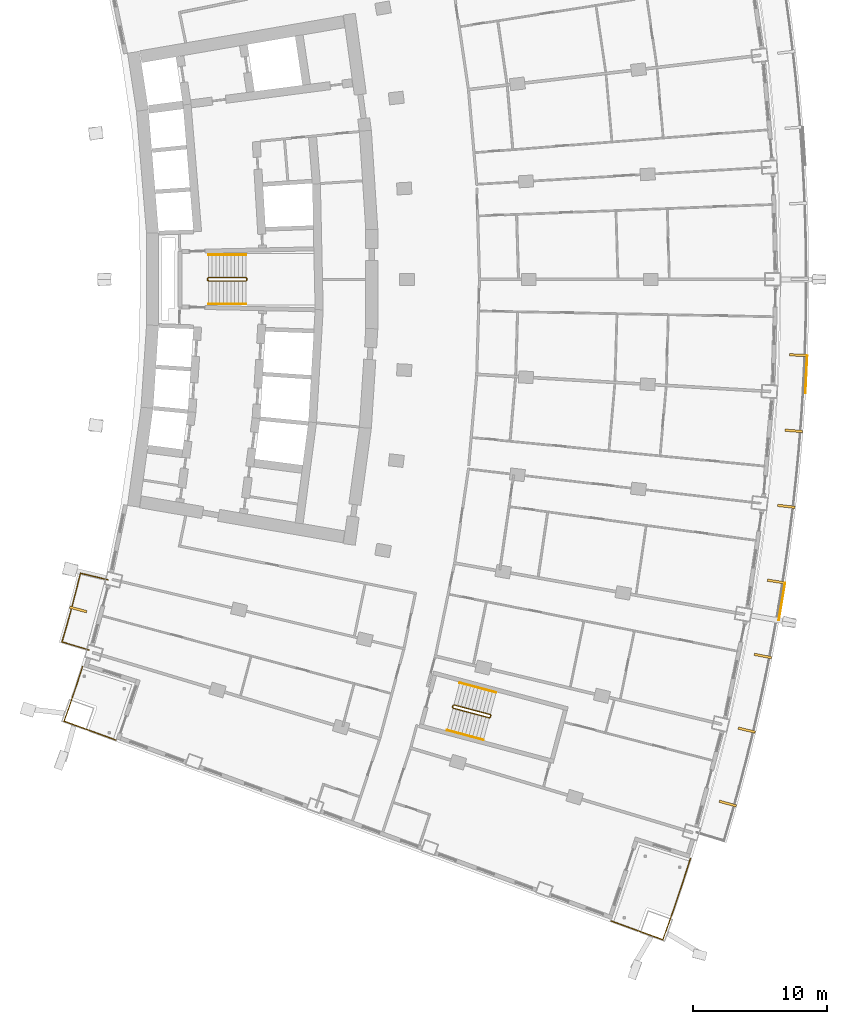
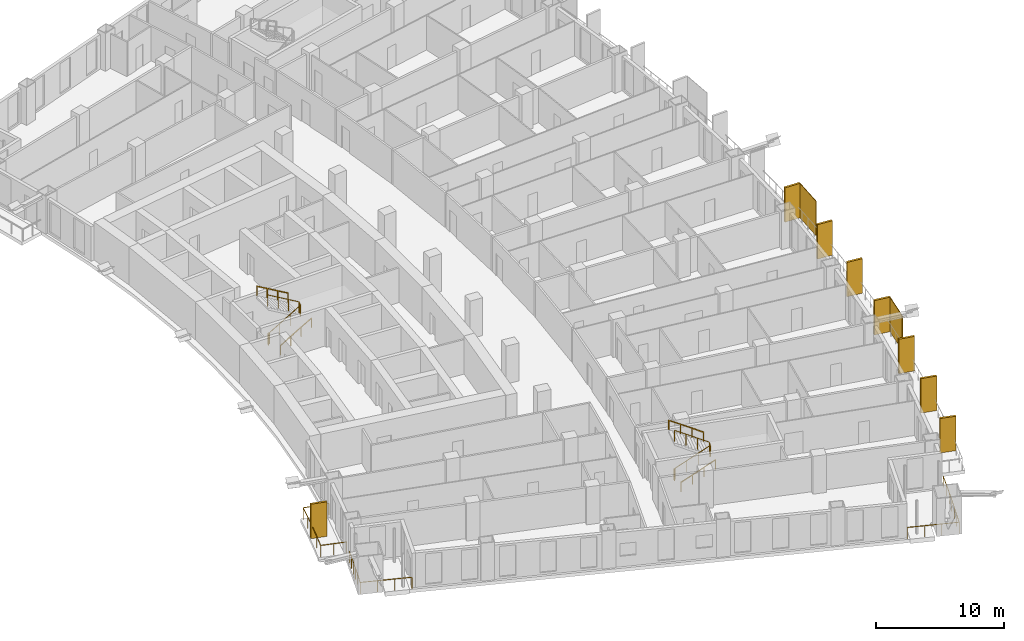
# One storey, part 20 of 22: 10 shading devices, 9 railings.
"""IFC4 building model written with IfcOpenShell, lengths in metres."""

import ifcopenshell
import ifcopenshell.guid

model = None  # the IFC model being written
_history = None  # IfcOwnerHistory: only IFC2X3 demands one
_inside = {}  # id of a spatial element -> (the spatial element, [elements in it])
_under = {}  # id of a project, library or spatial element -> (it, [spatial elements below it])
_declared = {}  # id of a project -> (the project, [libraries it declares])
_typed = {}  # id of a type object -> (the type object, [elements of that type])
_made_of = {}  # id of a material, layer set ... -> (it, [elements and type objects made of it])


def new_model(schema):
    """Start an empty IFC model of exactly this schema.

    Asked for "IFC4X3", IfcOpenShell would pick the latest addendum, in which some entities
    have other attributes; the version numbers below select the first issue.
    IFC2X3 requires an IfcOwnerHistory on every rooted entity: one is made here for all.
    """
    global model, _history
    if schema == "IFC4X3":
        model = ifcopenshell.file(schema_version=(4, 3, 0, 0))
    else:
        model = ifcopenshell.file(schema=schema)
    _inside.clear()
    _under.clear()
    _declared.clear()
    _typed.clear()
    _made_of.clear()
    _history = None
    if model.schema == "IFC2X3":
        org = make("IfcOrganization", Name="unknown")
        user = make(
            "IfcPersonAndOrganization",
            ThePerson=make("IfcPerson", FamilyName="unknown"),
            TheOrganization=org,
        )
        app = make(
            "IfcApplication",
            ApplicationDeveloper=org,
            Version="unknown",
            ApplicationFullName="unknown",
            ApplicationIdentifier="unknown",
        )
        _history = make(
            "IfcOwnerHistory",
            OwningUser=user,
            OwningApplication=app,
            ChangeAction="ADDED",
            CreationDate=0,
        )
    return model


def make(cls, **values):
    """One entity of the class cls with the attributes given. An attribute that is None is left unset."""
    return model.create_entity(
        cls, **{name: value for name, value in values.items() if value is not None}
    )


def rooted(cls, **values):
    """An entity with a GlobalId (a new one), such as an element, a storey or a relation."""
    return make(cls, GlobalId=ifcopenshell.guid.new(), OwnerHistory=_history, **values)


def si_unit(unit_type, name, prefix=None):
    """IfcSIUnit, for example si_unit("LENGTHUNIT", "METRE", prefix="MILLI")."""
    return make("IfcSIUnit", UnitType=unit_type, Prefix=prefix, Name=name)


def assignment(units):
    """IfcUnitAssignment: the units of a project."""
    return None if units is None else make("IfcUnitAssignment", Units=units)


def point(xyz):
    """IfcCartesianPoint."""
    return None if xyz is None else make("IfcCartesianPoint", Coordinates=xyz)


def direction(xyz):
    """IfcDirection."""
    return None if xyz is None else make("IfcDirection", DirectionRatios=xyz)


def frame(location, z_axis=None, x_axis=None):
    """IfcAxis2Placement3D, a coordinate frame: its origin and axes. An axis left out is left unset."""
    return make(
        "IfcAxis2Placement3D",
        Location=point(location),
        Axis=direction(z_axis),
        RefDirection=direction(x_axis),
    )


def frame_2d(location, x_axis=None):
    """IfcAxis2Placement2D, a coordinate frame in the plane: its origin and x axis."""
    return make(
        "IfcAxis2Placement2D", Location=point(location), RefDirection=direction(x_axis)
    )


def origin():
    """The frame at (0, 0, 0) with its axes left unset."""
    return frame((0.0, 0.0, 0.0))


def origin_with_axes():
    """The frame at (0, 0, 0) with the z axis (0, 0, 1) and the x axis (1, 0, 0) written out."""
    return frame((0.0, 0.0, 0.0), z_axis=(0.0, 0.0, 1.0), x_axis=(1.0, 0.0, 0.0))


def origin_2d():
    """The frame at (0, 0) in the plane with its x axis left unset."""
    return frame_2d((0.0, 0.0))


def place(relative_to, where):
    """IfcLocalPlacement: puts the frame where relative to a parent placement (None: the world)."""
    return make(
        "IfcLocalPlacement", PlacementRelTo=relative_to, RelativePlacement=where
    )


def context(
    kind, dimensions, precision=None, world=None, true_north=None, identifier=None
):
    """IfcGeometricRepresentationContext, for example the 3D "Model" context."""
    return make(
        "IfcGeometricRepresentationContext",
        ContextIdentifier=identifier,
        ContextType=kind,
        CoordinateSpaceDimension=dimensions,
        Precision=precision,
        WorldCoordinateSystem=world,
        TrueNorth=true_north,
    )


def subcontext(parent, identifier, kind, view, scale=None):
    """IfcGeometricRepresentationSubContext, for example "Body" below "Model"."""
    return make(
        "IfcGeometricRepresentationSubContext",
        ContextIdentifier=identifier,
        ContextType=kind,
        ParentContext=parent,
        TargetScale=scale,
        TargetView=view,
    )


def project(units=None, contexts=None):
    """IfcProject with its units and contexts."""
    return rooted(
        "IfcProject",
        Name="project",
        RepresentationContexts=contexts,
        UnitsInContext=assignment(units),
    )


def spatial(cls, under=None, at=None, **own):
    """A site, building, storey or space (cls), placed at a placement, below another one or the project."""
    s = rooted(cls, ObjectPlacement=at, **own)
    if under is not None:
        _under.setdefault(under.id(), (under, []))[1].append(s)
    return s


def profile(cls, at=None, kind="AREA", **sizes):
    """A parametric profile (cls). Its sizes go by their IFC names, for example OverallWidth=200.0."""
    return make(cls, ProfileType=kind, Position=at, **sizes)


def rectangle(**sizes):
    """IfcRectangleProfileDef."""
    return profile("IfcRectangleProfileDef", **sizes)


def extrude(swept, where, along, depth):
    """IfcExtrudedAreaSolid: the profile swept, set in the frame where, extruded along a direction by depth."""
    return make(
        "IfcExtrudedAreaSolid",
        SweptArea=swept,
        Position=where,
        ExtrudedDirection=direction(along),
        Depth=depth,
    )


def shape(context_of_items, identifier, shape_type, items):
    """IfcShapeRepresentation: the items that make up one representation, for example the "Body"."""
    return make(
        "IfcShapeRepresentation",
        ContextOfItems=context_of_items,
        RepresentationIdentifier=identifier,
        RepresentationType=shape_type,
        Items=items,
    )


def material(Name=None, Category=None):
    """IfcMaterial."""
    return make("IfcMaterial", Name=Name, Category=Category)


def layer(
    of_material, thickness, ventilated=None, Name=None, Category=None, Priority=None
):
    """IfcMaterialLayer: one layer of a wall or slab, of a material (None: an air gap)."""
    return make(
        "IfcMaterialLayer",
        Material=of_material,
        LayerThickness=thickness,
        IsVentilated=ventilated,
        Name=Name,
        Category=Category,
        Priority=Priority,
    )


def layer_set(layers, Name=None):
    """IfcMaterialLayerSet."""
    return make("IfcMaterialLayerSet", MaterialLayers=layers, LayerSetName=Name)


def made_of(thing, what):
    """Note that an element or type object is made of a material, layer set ...; save() writes the relation."""
    if what is not None:
        _made_of.setdefault(what.id(), (what, []))[1].append(thing)
    return thing


def type_object(cls, material=None, **own):
    """A type object (cls), such as IfcWallType, which elements share."""
    return made_of(rooted(cls, **own), material)


def element(
    cls,
    number,
    at=None,
    inside=None,
    cuts=None,
    type_object=None,
    material=None,
    context=None,
    identifier="Body",
    shape_type=None,
    held_by="IfcProductDefinitionShape",
    body=None,
    shapes=None,
    **own,
):
    """One element of the class cls, such as IfcWall. Its Tag is "e" and its number.

    at: its placement. inside: the storey or other place that contains it. cuts: it is an
    opening in that element (IfcRelVoidsElement). A single representation is given by context,
    identifier, shape_type and body (its items); several are given by shapes. held_by: the class
    of the entity that holds the representations. save() writes the other relations.
    """
    e = rooted(cls, Tag="e%d" % number, ObjectPlacement=at, **own)
    if body is not None:
        shapes = [shape(context, identifier, shape_type, body)]
    if shapes is not None:
        e.Representation = make(held_by, Representations=shapes)
    if inside is not None:
        _inside.setdefault(inside.id(), (inside, []))[1].append(e)
    if cuts is not None:
        rooted(
            "IfcRelVoidsElement", RelatingBuildingElement=cuts, RelatedOpeningElement=e
        )
    if type_object is not None:
        _typed.setdefault(type_object.id(), (type_object, []))[1].append(e)
    return made_of(e, material)


def aggregate(whole, parts):
    """IfcRelAggregates: a whole, such as a stair, and the parts it consists of."""
    return rooted("IfcRelAggregates", RelatingObject=whole, RelatedObjects=parts)


def save(model, path):
    """Write the relations noted so far, then the file.

    IfcRelAggregates (storeys below a building ...), IfcRelContainedInSpatialStructure (elements
    in a storey), IfcRelDefinesByType, IfcRelAssociatesMaterial and IfcRelDeclares: one each for
    every whole, place, type object, material and project.
    """
    for whole, parts in _under.values():
        aggregate(whole, parts)
    for where, things in _inside.values():
        rooted(
            "IfcRelContainedInSpatialStructure",
            RelatedElements=things,
            RelatingStructure=where,
        )
    for kind, things in _typed.values():
        rooted("IfcRelDefinesByType", RelatedObjects=things, RelatingType=kind)
    for what, things in _made_of.values():
        rooted("IfcRelAssociatesMaterial", RelatedObjects=things, RelatingMaterial=what)
    for by, libraries in _declared.values():
        rooted("IfcRelDeclares", RelatingContext=by, RelatedDefinitions=libraries)
    model.write(path)


model = new_model("IFC4")

# Units and contexts
model_context = context("Model", 3, precision=1e-05, world=origin(), true_north=direction((0.0, 1.0)))
body_context = subcontext(model_context, "Body", "Model", "MODEL_VIEW")
ifc_project = project(units=[si_unit("LENGTHUNIT", "METRE"), si_unit("AREAUNIT", "SQUARE_METRE"), si_unit("VOLUMEUNIT", "CUBIC_METRE"), si_unit("PLANEANGLEUNIT", "RADIAN"), si_unit("MASSUNIT", "GRAM", prefix="KILO")], contexts=[model_context])

# Site, building, storey
site_placement = place(None, origin())
site = spatial("IfcSite", under=ifc_project, at=site_placement, CompositionType="ELEMENT")
building_placement = place(site_placement, origin())
building = spatial("IfcBuilding", under=site, at=building_placement, Name="Alderwake Tower", CompositionType="ELEMENT")
storey_placement = place(building_placement, frame((0.0, 0.0, 50.0)))
storey = spatial("IfcBuildingStorey", under=building, at=storey_placement, Name="L11", CompositionType="ELEMENT", Elevation=50.0)

# Railings
ifc_material_1 = material(Name="Stainless steel 316 rail and posts", Category="steel")
railing_type_1 = type_object("IfcRailingType", Name="Balcony guard 1100", PredefinedType="GUARDRAIL", material=ifc_material_1)
railing_1_placement = place(storey_placement, frame((12.16650390625, 33.435791015625, 0.0)))
element("IfcRailing", 1, at=railing_1_placement, inside=storey, type_object=railing_type_1, Name="Guard BR02", PredefinedType="GUARDRAIL", context=body_context, shape_type="SweptSolid", body=[
    extrude(rectangle(XDim=0.048095703125, YDim=0.048095703125, at=origin_2d()), frame((0.0, 0.0, 1.076171875), z_axis=(-0.958091458885, 0.286462486918, 0.0), x_axis=(-0.286462486918, -0.958091458885, 0.0)), (0.0, 0.0, 1.0), 2.099853515625),
    extrude(rectangle(XDim=0.048095703125, YDim=0.048095703125, at=origin_2d()), frame((-2.011962890625, 0.6015625, 1.076171875), z_axis=(0.279963157487, 0.960010744966, 0.0), x_axis=(-0.960010744966, 0.279963157487, 0.0)), (0.0, 0.0, 1.0), 1.272216796875),
    extrude(rectangle(XDim=0.048095703125, YDim=0.048095703125, at=origin_2d()), frame((-1.65576171875, 1.822998046875, 1.076171875), z_axis=(0.266487604617, 0.963838345671, 0.0), x_axis=(-0.963838345671, 0.266487604617, 0.0)), (0.0, 0.0, 1.0), 1.372314453125),
    extrude(rectangle(XDim=0.048095703125, YDim=0.048095703125, at=origin_2d()), frame((-1.2900390625, 3.145751953125, 1.076171875), z_axis=(0.252487086228, 0.967600264204, 0.0), x_axis=(-0.967600264204, 0.252487086228, 0.0)), (0.0, 0.0, 1.0), 1.3720703125),
    extrude(rectangle(XDim=0.048095703125, YDim=0.048095703125, at=origin_2d()), frame((-0.943603515625, 4.473388671875, 1.076171875), z_axis=(0.238877101641, 0.971049808358, 0.0), x_axis=(-0.971049808358, 0.238877101641, 0.0)), (0.0, 0.0, 1.0), 1.2724609375),
    extrude(rectangle(XDim=0.048095703125, YDim=0.048095703125, at=origin_2d()), frame((-0.6396484375, 5.708984375, 1.076171875), z_axis=(0.972646310656, -0.232291098337, 0.0), x_axis=(0.232291098337, 0.972646310656, 0.0)), (0.0, 0.0, 1.0), 2.099853515625),
    extrude(rectangle(XDim=0.0419921875, YDim=0.0419921875, at=origin_2d()), frame((0.0, 0.0, 0.0), z_axis=(0.0, 0.0, 1.0), x_axis=(-0.958091458885, 0.286462486918, 0.0)), (0.0, 0.0, 1.0), 1.052001953125),
    extrude(rectangle(XDim=0.0419921875, YDim=0.0419921875, at=origin_2d()), frame((-1.005859375, 0.30078125, 0.0), z_axis=(0.0, 0.0, 1.0), x_axis=(-0.958091458885, 0.286462486918, 0.0)), (0.0, 0.0, 1.0), 1.052001953125),
    extrude(rectangle(XDim=0.0419921875, YDim=0.0419921875, at=origin_2d()), frame((-2.011962890625, 0.6015625, 0.0), z_axis=(0.0, 0.0, 1.0), x_axis=(0.279963157487, 0.960010744966, 0.0)), (0.0, 0.0, 1.0), 1.052001953125),
    extrude(rectangle(XDim=0.0419921875, YDim=0.0419921875, at=origin_2d()), frame((-1.65576171875, 1.822998046875, 0.0), z_axis=(0.0, 0.0, 1.0), x_axis=(0.266487604617, 0.963838345671, 0.0)), (0.0, 0.0, 1.0), 1.052001953125),
    extrude(rectangle(XDim=0.0419921875, YDim=0.0419921875, at=origin_2d()), frame((-1.2900390625, 3.145751953125, 0.0), z_axis=(0.0, 0.0, 1.0), x_axis=(0.252487086228, 0.967600264204, 0.0)), (0.0, 0.0, 1.0), 1.052001953125),
    extrude(rectangle(XDim=0.0419921875, YDim=0.0419921875, at=origin_2d()), frame((-0.943603515625, 4.473388671875, 0.0), z_axis=(0.0, 0.0, 1.0), x_axis=(0.238877101641, 0.971049808358, 0.0)), (0.0, 0.0, 1.0), 1.052001953125),
    extrude(rectangle(XDim=0.0419921875, YDim=0.0419921875, at=origin_2d()), frame((-0.6396484375, 5.708984375, 0.0), z_axis=(0.0, 0.0, 1.0), x_axis=(0.972646310656, -0.232291098337, 0.0)), (0.0, 0.0, 1.0), 1.052001953125),
    extrude(rectangle(XDim=0.0419921875, YDim=0.0419921875, at=origin_2d()), frame((0.381591796875, 5.465087890625, 0.0), z_axis=(0.0, 0.0, 1.0), x_axis=(0.972646310656, -0.232291098337, 0.0)), (0.0, 0.0, 1.0), 1.052001953125),
    extrude(rectangle(XDim=0.0419921875, YDim=0.0419921875, at=origin_2d()), frame((1.40283203125, 5.22119140625, 0.0), z_axis=(0.0, 0.0, 1.0), x_axis=(0.972646310656, -0.232291098337, 0.0)), (0.0, 0.0, 1.0), 1.052001953125),
])
railing_2_placement = place(storey_placement, frame((56.88330078125, 17.927490234375, 0.0)))
element("IfcRailing", 2, at=railing_2_placement, inside=storey, type_object=railing_type_1, Name="Guard terrace FS", PredefinedType="GUARDRAIL", context=body_context, shape_type="SweptSolid", body=[
    extrude(rectangle(XDim=0.048095703125, YDim=0.048095703125, at=origin_2d()), frame((0.0, 0.0, 1.076171875), z_axis=(-0.307845801485, -0.951436262977, 0.0), x_axis=(0.951436262977, -0.307845801485, 0.0)), (0.0, 0.0, 1.0), 2.292724609375),
    extrude(rectangle(XDim=0.048095703125, YDim=0.048095703125, at=origin_2d()), frame((-0.705810546875, -2.181396484375, 1.076171875), z_axis=(-0.322241552388, -0.946657478666, 0.0), x_axis=(0.946657478666, -0.322241552388, 0.0)), (0.0, 0.0, 1.0), 2.092529296875),
    extrude(rectangle(XDim=0.048095703125, YDim=0.048095703125, at=origin_2d()), frame((-1.380126953125, -4.162353515625, 1.076171875), z_axis=(-0.335715388467, -0.941963469539, 0.0), x_axis=(0.941963469539, -0.335715388467, 0.0)), (0.0, 0.0, 1.0), 1.99267578125),
    extrude(rectangle(XDim=0.048095703125, YDim=0.048095703125, at=origin_2d()), frame((-2.049072265625, -6.039306640625, 1.076171875), z_axis=(-0.939624669849, 0.342206779317, 0.0), x_axis=(-0.342206779317, -0.939624669849, 0.0)), (0.0, 0.0, 1.0), 4.10009765625),
    extrude(rectangle(XDim=0.0419921875, YDim=0.0419921875, at=origin_2d()), frame((0.0, 0.0, 0.0), z_axis=(0.0, 0.0, 1.0), x_axis=(-0.307845801485, -0.951436262977, 0.0)), (0.0, 0.0, 1.0), 1.052001953125),
    extrude(rectangle(XDim=0.0419921875, YDim=0.0419921875, at=origin_2d()), frame((-0.35302734375, -1.0908203125, 0.0), z_axis=(0.0, 0.0, 1.0), x_axis=(-0.307845801485, -0.951436262977, 0.0)), (0.0, 0.0, 1.0), 1.052001953125),
    extrude(rectangle(XDim=0.0419921875, YDim=0.0419921875, at=origin_2d()), frame((-0.705810546875, -2.181396484375, 0.0), z_axis=(0.0, 0.0, 1.0), x_axis=(-0.322241552388, -0.946657478666, 0.0)), (0.0, 0.0, 1.0), 1.052001953125),
    extrude(rectangle(XDim=0.0419921875, YDim=0.0419921875, at=origin_2d()), frame((-1.04296875, -3.171875, 0.0), z_axis=(0.0, 0.0, 1.0), x_axis=(-0.322241552388, -0.946657478666, 0.0)), (0.0, 0.0, 1.0), 1.052001953125),
    extrude(rectangle(XDim=0.0419921875, YDim=0.0419921875, at=origin_2d()), frame((-1.380126953125, -4.162353515625, 0.0), z_axis=(0.0, 0.0, 1.0), x_axis=(-0.335715388467, -0.941963469539, 0.0)), (0.0, 0.0, 1.0), 1.052001953125),
    extrude(rectangle(XDim=0.0419921875, YDim=0.0419921875, at=origin_2d()), frame((-1.714599609375, -5.100830078125, 0.0), z_axis=(0.0, 0.0, 1.0), x_axis=(-0.335715388467, -0.941963469539, 0.0)), (0.0, 0.0, 1.0), 1.052001953125),
    extrude(rectangle(XDim=0.0419921875, YDim=0.0419921875, at=origin_2d()), frame((-2.049072265625, -6.039306640625, 0.0), z_axis=(0.0, 0.0, 1.0), x_axis=(-0.939624669849, 0.342206779317, 0.0)), (0.0, 0.0, 1.0), 1.052001953125),
    extrude(rectangle(XDim=0.0419921875, YDim=0.0419921875, at=origin_2d()), frame((-3.333251953125, -5.571533203125, 0.0), z_axis=(0.0, 0.0, 1.0), x_axis=(-0.939624669849, 0.342206779317, 0.0)), (0.0, 0.0, 1.0), 1.052001953125),
    extrude(rectangle(XDim=0.0419921875, YDim=0.0419921875, at=origin_2d()), frame((-4.617431640625, -5.10400390625, 0.0), z_axis=(0.0, 0.0, 1.0), x_axis=(-0.939624669849, 0.342206779317, 0.0)), (0.0, 0.0, 1.0), 1.052001953125),
    extrude(rectangle(XDim=0.0419921875, YDim=0.0419921875, at=origin_2d()), frame((-5.901611328125, -4.63623046875, 0.0), z_axis=(0.0, 0.0, 1.0), x_axis=(-0.939624669849, 0.342206779317, 0.0)), (0.0, 0.0, 1.0), 1.052001953125),
])
railing_3_placement = place(storey_placement, frame((11.688720703125, 32.218017578125, 0.0)))
element("IfcRailing", 3, at=railing_3_placement, inside=storey, type_object=railing_type_1, Name="Guard terrace RS", PredefinedType="GUARDRAIL", context=body_context, shape_type="SweptSolid", body=[
    extrude(rectangle(XDim=0.048095703125, YDim=0.048095703125, at=origin_2d()), frame((0.0, 0.0, 1.076171875), z_axis=(-0.307479326145, -0.951554761426, 0.0), x_axis=(0.951554761426, -0.307479326145, 0.0)), (0.0, 0.0, 1.0), 1.6015625),
    extrude(rectangle(XDim=0.048095703125, YDim=0.048095703125, at=origin_2d()), frame((-0.492431640625, -1.52392578125, 1.076171875), z_axis=(-0.322283727344, -0.946643121292, 0.0), x_axis=(0.946643121292, -0.322283727344, 0.0)), (0.0, 0.0, 1.0), 1.4013671875),
    extrude(rectangle(XDim=0.048095703125, YDim=0.048095703125, at=origin_2d()), frame((-0.944091796875, -2.8505859375, 1.076171875), z_axis=(-0.335468607403, -0.942051385778, 0.0), x_axis=(0.942051385778, -0.335468607403, 0.0)), (0.0, 0.0, 1.0), 1.30126953125),
    extrude(rectangle(XDim=0.048095703125, YDim=0.048095703125, at=origin_2d()), frame((-1.380615234375, -4.076416015625, 1.076171875), z_axis=(0.939708203232, -0.341977327873, 0.0), x_axis=(0.341977327873, 0.939708203232, 0.0)), (0.0, 0.0, 1.0), 4.10009765625),
    extrude(rectangle(XDim=0.0419921875, YDim=0.0419921875, at=origin_2d()), frame((0.0, 0.0, 0.0), z_axis=(0.0, 0.0, 1.0), x_axis=(-0.307479326145, -0.951554761426, 0.0)), (0.0, 0.0, 1.0), 1.052001953125),
    extrude(rectangle(XDim=0.0419921875, YDim=0.0419921875, at=origin_2d()), frame((-0.24609375, -0.761962890625, 0.0), z_axis=(0.0, 0.0, 1.0), x_axis=(-0.307479326145, -0.951554761426, 0.0)), (0.0, 0.0, 1.0), 1.052001953125),
    extrude(rectangle(XDim=0.0419921875, YDim=0.0419921875, at=origin_2d()), frame((-0.492431640625, -1.52392578125, 0.0), z_axis=(0.0, 0.0, 1.0), x_axis=(-0.322283727344, -0.946643121292, 0.0)), (0.0, 0.0, 1.0), 1.052001953125),
    extrude(rectangle(XDim=0.0419921875, YDim=0.0419921875, at=origin_2d()), frame((-0.71826171875, -2.187255859375, 0.0), z_axis=(0.0, 0.0, 1.0), x_axis=(-0.322283727344, -0.946643121292, 0.0)), (0.0, 0.0, 1.0), 1.052001953125),
    extrude(rectangle(XDim=0.0419921875, YDim=0.0419921875, at=origin_2d()), frame((-0.944091796875, -2.8505859375, 0.0), z_axis=(0.0, 0.0, 1.0), x_axis=(-0.335468607403, -0.942051385778, 0.0)), (0.0, 0.0, 1.0), 1.052001953125),
    extrude(rectangle(XDim=0.0419921875, YDim=0.0419921875, at=origin_2d()), frame((-1.380615234375, -4.076416015625, 0.0), z_axis=(0.0, 0.0, 1.0), x_axis=(0.939708203232, -0.341977327873, 0.0)), (0.0, 0.0, 1.0), 1.052001953125),
    extrude(rectangle(XDim=0.0419921875, YDim=0.0419921875, at=origin_2d()), frame((-0.096435546875, -4.543701171875, 0.0), z_axis=(0.0, 0.0, 1.0), x_axis=(0.939708203232, -0.341977327873, 0.0)), (0.0, 0.0, 1.0), 1.052001953125),
    extrude(rectangle(XDim=0.0419921875, YDim=0.0419921875, at=origin_2d()), frame((1.18798828125, -5.01123046875, 0.0), z_axis=(0.0, 0.0, 1.0), x_axis=(0.939708203232, -0.341977327873, 0.0)), (0.0, 0.0, 1.0), 1.052001953125),
    extrude(rectangle(XDim=0.0419921875, YDim=0.0419921875, at=origin_2d()), frame((2.47216796875, -5.478515625, 0.0), z_axis=(0.0, 0.0, 1.0), x_axis=(0.939708203232, -0.341977327873, 0.0)), (0.0, 0.0, 1.0), 1.052001953125),
])

# Shading devices
ifc_material_2 = material(Name="Bronze anodised aluminium", Category="aluminium")
ifc_layer_1 = layer(ifc_material_2, 0.179931640625)
ifc_layer_set_1 = layer_set([ifc_layer_1], Name="Facade fin 1300")
shading_device_type_1 = type_object("IfcShadingDeviceType", Name="Facade fin 1300", PredefinedType="USERDEFINED", material=ifc_layer_set_1)
for number, where, z_axis, x_axis, name in (
    (4, (59.661376953125, 22.0166015625, 0.0), (0.0, 0.0, 1.0), (0.96318180783, -0.268850897459, 0.0), "Fin"),
    (5, (61.07177734375, 27.4775390625, 0.0), (0.0, 0.0, 1.0), (0.972908790564, -0.231189284448, 0.0), "Fin"),
    (6, (62.268798828125, 32.9892578125, 0.0), (0.0, 0.0, 1.0), (0.981163751315, -0.193177879441, 0.0), "Fin"),
    (7, (63.248291015625, 38.52880859375, 0.0), (0.0, 0.0, 1.0), (0.987918787879, -0.154972476771, 0.0), "Fin"),
    (8, (64.013916015625, 44.116943359375, 0.0), (0.0, 0.0, 1.0), (0.993198315083, -0.116434990084, 0.0), "Fin"),
    (9, (64.561279296875, 49.73046875, 0.0), (0.0, 0.0, 1.0), (0.996975122026, -0.077721335943, 0.0), "Fin"),
    (10, (64.890380859375, 55.36083984375, 0.0), (0.0, 0.0, 1.0), (0.999243494356, -0.038890088543, 0.0), "Fin"),
    (11, (11.359375, 36.45166015625, 0.0), (0.0, 0.0, 1.0), (0.965744448231, -0.259495010957, 0.0), "Fin"),
):
    element("IfcShadingDevice", number, at=place(storey_placement, frame(where, z_axis=z_axis, x_axis=x_axis)), inside=storey, type_object=shading_device_type_1, Name=name, ObjectType="FIN", PredefinedType="USERDEFINED", context=body_context, shape_type="SweptSolid", body=[
        extrude(rectangle(XDim=1.300048828125, YDim=0.179931640625, at=origin_2d()), origin(), (0.0, 0.0, 1.0), 3.280029296875),
    ])
ifc_material_3 = material(Name="Perforated bronze anodised aluminium", Category="aluminium")
ifc_layer_2 = layer(ifc_material_3, 0.050048828125)
ifc_layer_set_2 = layer_set([ifc_layer_2], Name="Perforated screen panel")
shading_device_type_2 = type_object("IfcShadingDeviceType", Name="Perforated screen panel", PredefinedType="USERDEFINED", material=ifc_layer_set_2)
for number, where, z_axis, x_axis, name in (
    (12, (63.6826171875, 37.030517578125, 0.0), (0.0, 0.0, 1.0), (0.986369013299, -0.164548380739, 0.0), "Screen panel"),
    (13, (65.49609375, 53.92333984375, 0.0), (0.0, 0.0, 1.0), (0.998819231138, -0.048581308217, 0.0), "Screen panel"),
):
    element("IfcShadingDevice", number, at=place(storey_placement, frame(where, z_axis=z_axis, x_axis=x_axis)), inside=storey, type_object=shading_device_type_2, Name=name, ObjectType="SCREEN", PredefinedType="USERDEFINED", context=body_context, shape_type="SweptSolid", body=[
        extrude(rectangle(XDim=0.050048828125, YDim=2.826171875, at=origin_2d()), origin(), (0.0, 0.0, 1.0), 3.280029296875),
    ])

# Railings
ifc_material_4 = material(Name="Stainless steel guard", Category="steel")
railing_type_2 = type_object("IfcRailingType", Name="Stair guard 1100", PredefinedType="GUARDRAIL", material=ifc_material_4)
railing_4_placement = place(storey_placement, frame((20.989990234375, 60.925048828125, 0.0)))
element("IfcRailing", 14, at=railing_4_placement, inside=storey, type_object=railing_type_2, Name="L11 ST-B stair guard 1", PredefinedType="GUARDRAIL", context=body_context, shape_type="SweptSolid", body=[
    extrude(rectangle(XDim=0.048095703125, YDim=0.048095703125, at=origin_2d()), frame((0.0, 0.0, 1.076171875), z_axis=(0.0, 1.0, 0.0), x_axis=(-1.0, 0.0, 0.0)), (0.0, 0.0, 1.0), 0.14990234375),
    extrude(rectangle(XDim=0.048095703125, YDim=0.048095703125, at=origin_2d()), frame((0.0, 0.14990234375, 1.076171875), z_axis=(0.190199549216, -0.759870394187, 0.621627795), x_axis=(0.970072785993, 0.242814311512, 0.0)), (0.0, 0.0, 1.0), 0.26318359375),
    extrude(rectangle(XDim=0.048095703125, YDim=0.048095703125, at=origin_2d()), frame((0.050048828125, -0.050048828125, 1.23974609375), z_axis=(0.863360870873, 0.0, 0.504586966384), x_axis=(0.0, 1.0, 0.0)), (0.0, 0.0, 1.0), 3.2431640625),
    extrude(rectangle(XDim=0.048095703125, YDim=0.048095703125, at=origin_2d()), frame((2.85009765625, -0.050048828125, 2.8759765625), z_axis=(0.705375805398, 0.708833529934, 0.0), x_axis=(-0.708833529934, 0.705375805398, 0.0)), (0.0, 0.0, 1.0), 0.070556640625),
    extrude(rectangle(XDim=0.048095703125, YDim=0.048095703125, at=origin_2d()), frame((2.89990234375, 0.0, 2.8759765625), z_axis=(0.0, 1.0, 0.0), x_axis=(-1.0, 0.0, 0.0)), (0.0, 0.0, 1.0), 0.14990234375),
    extrude(rectangle(XDim=0.048095703125, YDim=0.048095703125, at=origin_2d()), frame((2.89990234375, 0.14990234375, 2.8759765625), z_axis=(-0.279546231943, 0.280916556609, 0.91811752648), x_axis=(-0.708833529934, -0.705375805398, 0.0)), (0.0, 0.0, 1.0), 0.17822265625),
    extrude(rectangle(XDim=0.048095703125, YDim=0.048095703125, at=origin_2d()), frame((2.85009765625, 0.199951171875, 3.03955078125), z_axis=(-0.863360870873, 0.0, 0.504586966384), x_axis=(0.0, -1.0, 0.0)), (0.0, 0.0, 1.0), 3.2431640625),
    extrude(rectangle(XDim=0.0419921875, YDim=0.0419921875, at=origin_2d()), frame((0.0, 0.0, 0.0), z_axis=(0.0, 0.0, 1.0), x_axis=(0.0, 1.0, 0.0)), (0.0, 0.0, 1.0), 1.052001953125),
    extrude(rectangle(XDim=0.0419921875, YDim=0.0419921875, at=origin_2d()), frame((0.0, 0.14990234375, 0.0), z_axis=(0.0, 0.0, 1.0), x_axis=(0.242814311512, -0.970072785993, 0.0)), (0.0, 0.0, 1.0), 1.052001953125),
    extrude(rectangle(XDim=0.0419921875, YDim=0.0419921875, at=origin_2d()), frame((0.050048828125, -0.050048828125, 0.16357421875), z_axis=(0.0, 0.0, 1.0), x_axis=(1.0, 0.0, 0.0)), (0.0, 0.0, 1.0), 1.052001953125),
    extrude(rectangle(XDim=0.0419921875, YDim=0.0419921875, at=origin_2d()), frame((0.9833984375, -0.050048828125, 0.708984375), z_axis=(0.0, 0.0, 1.0), x_axis=(1.0, 0.0, 0.0)), (0.0, 0.0, 1.0), 1.052001953125),
    extrude(rectangle(XDim=0.0419921875, YDim=0.0419921875, at=origin_2d()), frame((1.916748046875, -0.050048828125, 1.254638671875), z_axis=(0.0, 0.0, 1.0), x_axis=(1.0, 0.0, 0.0)), (0.0, 0.0, 1.0), 1.052001953125),
    extrude(rectangle(XDim=0.0419921875, YDim=0.0419921875, at=origin_2d()), frame((2.85009765625, -0.050048828125, 1.800048828125), z_axis=(0.0, 0.0, 1.0), x_axis=(0.705375805398, 0.708833529934, 0.0)), (0.0, 0.0, 1.0), 1.052001953125),
    extrude(rectangle(XDim=0.0419921875, YDim=0.0419921875, at=origin_2d()), frame((2.89990234375, 0.0, 1.800048828125), z_axis=(0.0, 0.0, 1.0), x_axis=(0.0, 1.0, 0.0)), (0.0, 0.0, 1.0), 1.052001953125),
    extrude(rectangle(XDim=0.0419921875, YDim=0.0419921875, at=origin_2d()), frame((2.89990234375, 0.14990234375, 1.800048828125), z_axis=(0.0, 0.0, 1.0), x_axis=(-0.705375805398, 0.708833529934, 0.0)), (0.0, 0.0, 1.0), 1.052001953125),
    extrude(rectangle(XDim=0.0419921875, YDim=0.0419921875, at=origin_2d()), frame((2.85009765625, 0.199951171875, 1.963623046875), z_axis=(0.0, 0.0, 1.0), x_axis=(-1.0, 0.0, 0.0)), (0.0, 0.0, 1.0), 1.052001953125),
    extrude(rectangle(XDim=0.0419921875, YDim=0.0419921875, at=origin_2d()), frame((1.916748046875, 0.199951171875, 2.509033203125), z_axis=(0.0, 0.0, 1.0), x_axis=(-1.0, 0.0, 0.0)), (0.0, 0.0, 1.0), 1.052001953125),
    extrude(rectangle(XDim=0.0419921875, YDim=0.0419921875, at=origin_2d()), frame((0.9833984375, 0.199951171875, 3.0546875), z_axis=(0.0, 0.0, 1.0), x_axis=(-1.0, 0.0, 0.0)), (0.0, 0.0, 1.0), 1.052001953125),
    extrude(rectangle(XDim=0.0419921875, YDim=0.0419921875, at=origin_2d()), frame((0.050048828125, 0.199951171875, 3.60009765625), z_axis=(0.0, 0.0, 1.0), x_axis=(-1.0, 0.0, 0.0)), (0.0, 0.0, 1.0), 1.052001953125),
])
railing_5_placement = place(storey_placement, frame((39.1943359375, 29.17431640625, 0.0)))
element("IfcRailing", 15, at=railing_5_placement, inside=storey, type_object=railing_type_2, Name="L11 ST-C stair guard 1", PredefinedType="GUARDRAIL", context=body_context, shape_type="SweptSolid", body=[
    extrude(rectangle(XDim=0.048095703125, YDim=0.048095703125, at=origin_2d()), frame((0.0, 0.0, 1.076171875), z_axis=(0.257459803502, 0.966289009345, 0.0), x_axis=(-0.966289009345, 0.257459803502, 0.0)), (0.0, 0.0, 1.0), 0.14990234375),
    extrude(rectangle(XDim=0.048095703125, YDim=0.048095703125, at=origin_2d()), frame((0.03857421875, 0.144775390625, 1.076171875), z_axis=(-0.012062893862, -0.783160186125, 0.621702991355), x_axis=(0.999881397308, -0.015401016783, 0.0)), (0.0, 0.0, 1.0), 0.26318359375),
    extrude(rectangle(XDim=0.048095703125, YDim=0.048095703125, at=origin_2d()), frame((0.035400390625, -0.061279296875, 1.23974609375), z_axis=(0.834281824786, -0.222214197128, 0.504573768072), x_axis=(0.257380452725, 0.966310148221, 0.0)), (0.0, 0.0, 1.0), 3.2431640625),
    extrude(rectangle(XDim=0.048095703125, YDim=0.048095703125, at=origin_2d()), frame((2.7412109375, -0.781982421875, 2.8759765625), z_axis=(0.865031189262, 0.501718089772, 0.0), x_axis=(-0.501718089772, 0.865031189262, 0.0)), (0.0, 0.0, 1.0), 0.070556640625),
    extrude(rectangle(XDim=0.048095703125, YDim=0.048095703125, at=origin_2d()), frame((2.80224609375, -0.74658203125, 2.8759765625), z_axis=(0.257055032184, 0.966396766566, 0.0), x_axis=(-0.966396766566, 0.257055032184, 0.0)), (0.0, 0.0, 1.0), 0.150146484375),
    extrude(rectangle(XDim=0.048095703125, YDim=0.048095703125, at=origin_2d()), frame((2.8408203125, -0.6015625, 2.8759765625), z_axis=(-0.198625291617, 0.343827228937, 0.91778583023), x_axis=(-0.865898279276, -0.500220121494, 0.0)), (0.0, 0.0, 1.0), 0.17822265625),
    extrude(rectangle(XDim=0.048095703125, YDim=0.048095703125, at=origin_2d()), frame((2.805419921875, -0.540283203125, 3.03955078125), z_axis=(-0.834258940753, 0.22222815314, 0.504605457487), x_axis=(-0.257402139082, -0.966304371715, 0.0)), (0.0, 0.0, 1.0), 3.2431640625),
    extrude(rectangle(XDim=0.0419921875, YDim=0.0419921875, at=origin_2d()), frame((0.0, 0.0, 0.0), z_axis=(0.0, 0.0, 1.0), x_axis=(0.257459803502, 0.966289009345, 0.0)), (0.0, 0.0, 1.0), 1.052001953125),
    extrude(rectangle(XDim=0.0419921875, YDim=0.0419921875, at=origin_2d()), frame((0.03857421875, 0.144775390625, 0.0), z_axis=(0.0, 0.0, 1.0), x_axis=(-0.015401016783, -0.999881397308, 0.0)), (0.0, 0.0, 1.0), 1.052001953125),
    extrude(rectangle(XDim=0.0419921875, YDim=0.0419921875, at=origin_2d()), frame((0.035400390625, -0.061279296875, 0.16357421875), z_axis=(0.0, 0.0, 1.0), x_axis=(0.966310148221, -0.257380452725, 0.0)), (0.0, 0.0, 1.0), 1.052001953125),
    extrude(rectangle(XDim=0.0419921875, YDim=0.0419921875, at=origin_2d()), frame((0.937255859375, -0.301513671875, 0.708984375), z_axis=(0.0, 0.0, 1.0), x_axis=(0.966310148221, -0.257380452725, 0.0)), (0.0, 0.0, 1.0), 1.052001953125),
    extrude(rectangle(XDim=0.0419921875, YDim=0.0419921875, at=origin_2d()), frame((1.83935546875, -0.541748046875, 1.254638671875), z_axis=(0.0, 0.0, 1.0), x_axis=(0.966310148221, -0.257380452725, 0.0)), (0.0, 0.0, 1.0), 1.052001953125),
    extrude(rectangle(XDim=0.0419921875, YDim=0.0419921875, at=origin_2d()), frame((2.7412109375, -0.781982421875, 1.800048828125), z_axis=(0.0, 0.0, 1.0), x_axis=(0.865031189262, 0.501718089772, 0.0)), (0.0, 0.0, 1.0), 1.052001953125),
    extrude(rectangle(XDim=0.0419921875, YDim=0.0419921875, at=origin_2d()), frame((2.80224609375, -0.74658203125, 1.800048828125), z_axis=(0.0, 0.0, 1.0), x_axis=(0.257055032184, 0.966396766566, 0.0)), (0.0, 0.0, 1.0), 1.052001953125),
    extrude(rectangle(XDim=0.0419921875, YDim=0.0419921875, at=origin_2d()), frame((2.8408203125, -0.6015625, 1.800048828125), z_axis=(0.0, 0.0, 1.0), x_axis=(-0.500220121494, 0.865898279276, 0.0)), (0.0, 0.0, 1.0), 1.052001953125),
    extrude(rectangle(XDim=0.0419921875, YDim=0.0419921875, at=origin_2d()), frame((2.805419921875, -0.540283203125, 1.963623046875), z_axis=(0.0, 0.0, 1.0), x_axis=(-0.966304371715, 0.257402139082, 0.0)), (0.0, 0.0, 1.0), 1.052001953125),
    extrude(rectangle(XDim=0.0419921875, YDim=0.0419921875, at=origin_2d()), frame((1.903564453125, -0.300048828125, 2.509033203125), z_axis=(0.0, 0.0, 1.0), x_axis=(-0.966304371715, 0.257402139082, 0.0)), (0.0, 0.0, 1.0), 1.052001953125),
    extrude(rectangle(XDim=0.0419921875, YDim=0.0419921875, at=origin_2d()), frame((1.001708984375, -0.059814453125, 3.0546875), z_axis=(0.0, 0.0, 1.0), x_axis=(-0.966304371715, 0.257402139082, 0.0)), (0.0, 0.0, 1.0), 1.052001953125),
    extrude(rectangle(XDim=0.0419921875, YDim=0.0419921875, at=origin_2d()), frame((0.099853515625, 0.180419921875, 3.60009765625), z_axis=(0.0, 0.0, 1.0), x_axis=(-0.966304371715, 0.257402139082, 0.0)), (0.0, 0.0, 1.0), 1.052001953125),
])
ifc_material_5 = material(Name="Stainless steel handrail", Category="steel")
railing_type_3 = type_object("IfcRailingType", Name="Stair handrail 900", PredefinedType="HANDRAIL", material=ifc_material_5)
railing_6_placement = place(storey_placement, frame((21.0400390625, 59.175048828125, 0.16357421875)))
element("IfcRailing", 16, at=railing_6_placement, inside=storey, type_object=railing_type_3, Name="L11 ST-B stair handrail 1", PredefinedType="HANDRAIL", context=body_context, shape_type="SweptSolid", body=[
    extrude(rectangle(XDim=0.048095703125, YDim=0.048095703125, at=origin_2d()), frame((0.0, 0.0, 0.8759765625), z_axis=(0.863360870873, 0.0, 0.504586966384), x_axis=(0.0, 1.0, 0.0)), (0.0, 0.0, 1.0), 3.2431640625),
    extrude(rectangle(XDim=0.0419921875, YDim=0.0419921875, at=origin_2d()), origin_with_axes(), (0.0, 0.0, 1.0), 0.851806640625),
    extrude(rectangle(XDim=0.0419921875, YDim=0.0419921875, at=origin_2d()), frame((0.933349609375, 0.0, 0.54541015625), z_axis=(0.0, 0.0, 1.0), x_axis=(1.0, 0.0, 0.0)), (0.0, 0.0, 1.0), 0.851806640625),
    extrude(rectangle(XDim=0.0419921875, YDim=0.0419921875, at=origin_2d()), frame((1.86669921875, 0.0, 1.091064453125), z_axis=(0.0, 0.0, 1.0), x_axis=(1.0, 0.0, 0.0)), (0.0, 0.0, 1.0), 0.851806640625),
    extrude(rectangle(XDim=0.0419921875, YDim=0.0419921875, at=origin_2d()), frame((2.800048828125, 0.0, 1.636474609375), z_axis=(0.0, 0.0, 1.0), x_axis=(1.0, 0.0, 0.0)), (0.0, 0.0, 1.0), 0.851806640625),
])
railing_7_placement = place(storey_placement, frame((23.840087890625, 62.824951171875, 1.963623046875)))
element("IfcRailing", 17, at=railing_7_placement, inside=storey, type_object=railing_type_3, Name="L11 ST-B stair handrail 2", PredefinedType="HANDRAIL", context=body_context, shape_type="SweptSolid", body=[
    extrude(rectangle(XDim=0.048095703125, YDim=0.048095703125, at=origin_2d()), frame((0.0, 0.0, 0.8759765625), z_axis=(-0.863360870873, 0.0, 0.504586966384), x_axis=(0.0, -1.0, 0.0)), (0.0, 0.0, 1.0), 3.2431640625),
    extrude(rectangle(XDim=0.0419921875, YDim=0.0419921875, at=origin_2d()), frame((0.0, 0.0, 0.0), z_axis=(0.0, 0.0, 1.0), x_axis=(-1.0, 0.0, 0.0)), (0.0, 0.0, 1.0), 0.851806640625),
    extrude(rectangle(XDim=0.0419921875, YDim=0.0419921875, at=origin_2d()), frame((-0.933349609375, 0.0, 0.54541015625), z_axis=(0.0, 0.0, 1.0), x_axis=(-1.0, 0.0, 0.0)), (0.0, 0.0, 1.0), 0.851806640625),
    extrude(rectangle(XDim=0.0419921875, YDim=0.0419921875, at=origin_2d()), frame((-1.86669921875, 0.0, 1.091064453125), z_axis=(0.0, 0.0, 1.0), x_axis=(-1.0, 0.0, 0.0)), (0.0, 0.0, 1.0), 0.851806640625),
    extrude(rectangle(XDim=0.0419921875, YDim=0.0419921875, at=origin_2d()), frame((-2.800048828125, 0.0, 1.636474609375), z_axis=(0.0, 0.0, 1.0), x_axis=(-1.0, 0.0, 0.0)), (0.0, 0.0, 1.0), 0.851806640625),
])
railing_8_placement = place(storey_placement, frame((38.792236328125, 27.47021484375, 0.16357421875)))
element("IfcRailing", 18, at=railing_8_placement, inside=storey, type_object=railing_type_3, Name="L11 ST-C stair handrail 1", PredefinedType="HANDRAIL", context=body_context, shape_type="SweptSolid", body=[
    extrude(rectangle(XDim=0.048095703125, YDim=0.048095703125, at=origin_2d()), frame((0.0, 0.0, 0.8759765625), z_axis=(0.834272895437, -0.222156588561, 0.504613898043), x_axis=(0.25732071773, 0.966326056891, 0.0)), (0.0, 0.0, 1.0), 3.242919921875),
    extrude(rectangle(XDim=0.0419921875, YDim=0.0419921875, at=origin_2d()), frame((0.0, 0.0, 0.0), z_axis=(0.0, 0.0, 1.0), x_axis=(0.966326056891, -0.25732071773, 0.0)), (0.0, 0.0, 1.0), 0.851806640625),
    extrude(rectangle(XDim=0.0419921875, YDim=0.0419921875, at=origin_2d()), frame((0.90185546875, -0.240234375, 0.54541015625), z_axis=(0.0, 0.0, 1.0), x_axis=(0.966326056891, -0.25732071773, 0.0)), (0.0, 0.0, 1.0), 0.851806640625),
    extrude(rectangle(XDim=0.0419921875, YDim=0.0419921875, at=origin_2d()), frame((1.8037109375, -0.480224609375, 1.091064453125), z_axis=(0.0, 0.0, 1.0), x_axis=(0.966326056891, -0.25732071773, 0.0)), (0.0, 0.0, 1.0), 0.851806640625),
    extrude(rectangle(XDim=0.0419921875, YDim=0.0419921875, at=origin_2d()), frame((2.70556640625, -0.720458984375, 1.636474609375), z_axis=(0.0, 0.0, 1.0), x_axis=(0.966326056891, -0.25732071773, 0.0)), (0.0, 0.0, 1.0), 0.851806640625),
])
railing_9_placement = place(storey_placement, frame((42.437255859375, 30.276611328125, 1.963623046875)))
element("IfcRailing", 19, at=railing_9_placement, inside=storey, type_object=railing_type_3, Name="L11 ST-C stair handrail 2", PredefinedType="HANDRAIL", context=body_context, shape_type="SweptSolid", body=[
    extrude(rectangle(XDim=0.048095703125, YDim=0.048095703125, at=origin_2d()), frame((0.0, 0.0, 0.8759765625), z_axis=(-0.834258940753, 0.22222815314, 0.504605457487), x_axis=(-0.257402139082, -0.966304371715, 0.0)), (0.0, 0.0, 1.0), 3.2431640625),
    extrude(rectangle(XDim=0.0419921875, YDim=0.0419921875, at=origin_2d()), frame((0.0, 0.0, 0.0), z_axis=(0.0, 0.0, 1.0), x_axis=(-0.966304371715, 0.257402139082, 0.0)), (0.0, 0.0, 1.0), 0.851806640625),
    extrude(rectangle(XDim=0.0419921875, YDim=0.0419921875, at=origin_2d()), frame((-0.90185546875, 0.240234375, 0.54541015625), z_axis=(0.0, 0.0, 1.0), x_axis=(-0.966304371715, 0.257402139082, 0.0)), (0.0, 0.0, 1.0), 0.851806640625),
    extrude(rectangle(XDim=0.0419921875, YDim=0.0419921875, at=origin_2d()), frame((-1.8037109375, 0.48046875, 1.091064453125), z_axis=(0.0, 0.0, 1.0), x_axis=(-0.966304371715, 0.257402139082, 0.0)), (0.0, 0.0, 1.0), 0.851806640625),
    extrude(rectangle(XDim=0.0419921875, YDim=0.0419921875, at=origin_2d()), frame((-2.70556640625, 0.720703125, 1.636474609375), z_axis=(0.0, 0.0, 1.0), x_axis=(-0.966304371715, 0.257402139082, 0.0)), (0.0, 0.0, 1.0), 0.851806640625),
])

save(model, "model.ifc")
